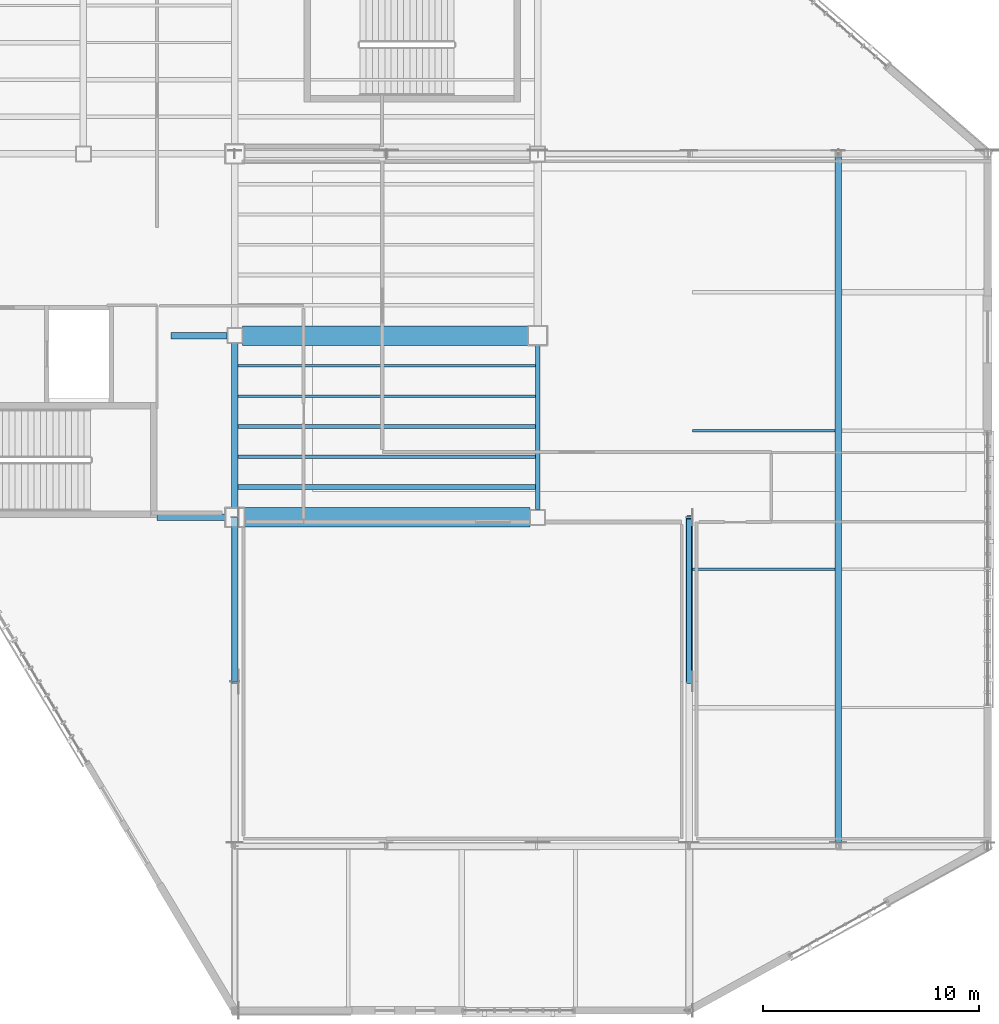
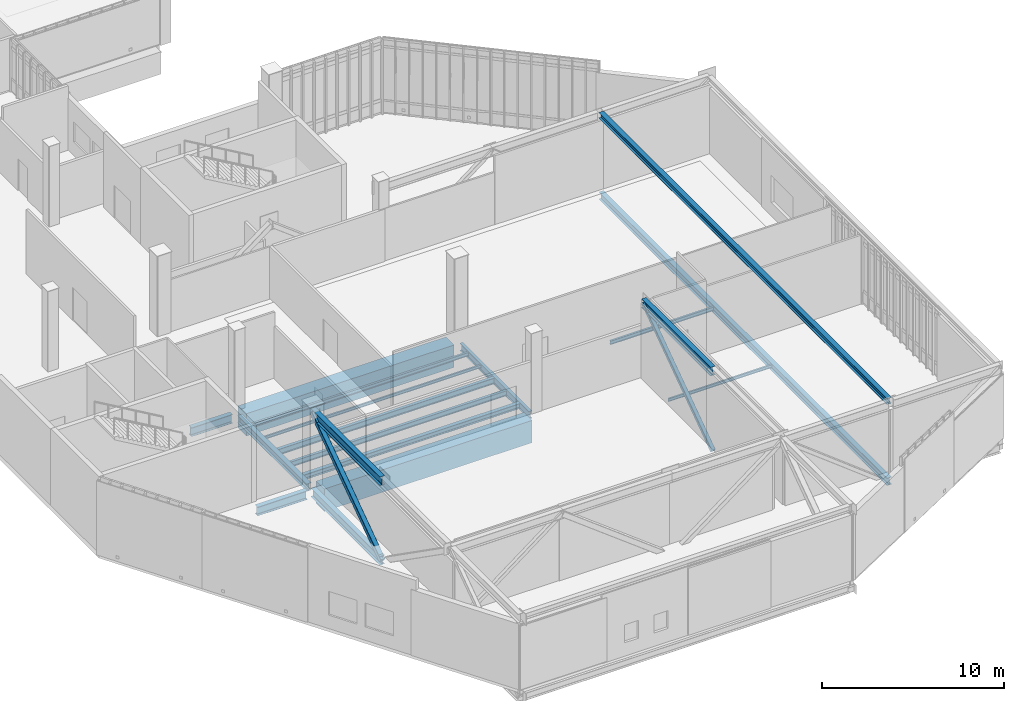
# One storey, part 35 of 135: 18 beams, 2 members.
"""IFC4 building model written with IfcOpenShell, lengths in metres."""

from ifc_helpers import new_model, si_unit, direction, frame, origin, origin_2d, place, context, subcontext, project, spatial, rectangle, hollow_rectangle, i_section, extrude, material, material_profile, profile_set, type_object, element, save


model = new_model("IFC4")

# Units and contexts
model_context = context("Model", 3, precision=1e-05, world=origin(), true_north=direction((0.0, 1.0)))
body_context = subcontext(model_context, "Body", "Model", "MODEL_VIEW")
ifc_project = project(units=[si_unit("LENGTHUNIT", "METRE"), si_unit("AREAUNIT", "SQUARE_METRE"), si_unit("VOLUMEUNIT", "CUBIC_METRE"), si_unit("PLANEANGLEUNIT", "RADIAN"), si_unit("MASSUNIT", "GRAM", prefix="KILO")], contexts=[model_context])

# Site, building, storey
site_placement = place(None, origin())
site = spatial("IfcSite", under=ifc_project, at=site_placement, CompositionType="ELEMENT")
building_placement = place(site_placement, origin())
building = spatial("IfcBuilding", under=site, at=building_placement, Name="Larkvane Passage Sports Hall", CompositionType="ELEMENT")
storey_placement = place(building_placement, frame((0.0, 0.0, 16.800048828125)))
storey = spatial("IfcBuildingStorey", under=building, at=storey_placement, Name="L03", CompositionType="ELEMENT", Elevation=16.800048828125)

# Beams
ifc_material_1 = material(Name="Steel S355JR", Category="steel")
ifc_material_profile_1 = material_profile(ifc_material_1, i_section(OverallWidth=0.300048828125, OverallDepth=0.389892578125, WebThickness=0.010009765625, FlangeThickness=0.01611328125, FilletRadius=0.01806640625, at=origin_2d()), Name="H-390x300x10x16")
ifc_profile_set_1 = profile_set([ifc_material_profile_1], Name="Steel S355JR")
beam_type_1 = type_object("IfcBeamType", Name="BM-STL-H390", PredefinedType="BEAM", material=ifc_profile_set_1)
beam_1_placement = place(storey_placement, frame((159.5, 7.75, 4.824951171875), z_axis=(0.0, 1.0, 0.0), x_axis=(-1.0, 0.0, 0.0)))
element("IfcBeam", 1, at=beam_1_placement, inside=storey, type_object=beam_type_1, Name="Cantilever transverse top beam CT-E3A--5", PredefinedType="BEAM", context=body_context, shape_type="SweptSolid", body=[
    extrude(i_section(OverallWidth=0.300048828125, OverallDepth=0.389892578125, WebThickness=0.010009765625, FlangeThickness=0.01611328125, FilletRadius=0.01806640625, at=origin_2d()), origin(), (0.0, 0.0, 1.0), 31.699951171875),
])
ifc_material_profile_2 = material_profile(ifc_material_1, i_section(OverallWidth=0.300048828125, OverallDepth=0.488037109375, WebThickness=0.010986328125, FlangeThickness=0.01806640625, FilletRadius=0.02197265625, at=origin_2d()), Name="H-488x300x11x18")
ifc_profile_set_2 = profile_set([ifc_material_profile_2], Name="Steel S355JR")
beam_type_2 = type_object("IfcBeamType", Name="BM-STL-H488", PredefinedType="BEAM", material=ifc_profile_set_2)
beam_2_placement = place(storey_placement, frame((131.60009765625, 23.25, -0.583984375), z_axis=(0.0, 1.0, 0.0), x_axis=(-1.0, 0.0, 0.0)))
element("IfcBeam", 2, at=beam_2_placement, inside=storey, type_object=beam_type_2, Name="Girder BM5-Y-L03-18-1044", PredefinedType="BEAM", context=body_context, shape_type="SweptSolid", body=[
    extrude(i_section(OverallWidth=0.300048828125, OverallDepth=0.488037109375, WebThickness=0.010986328125, FlangeThickness=0.01806640625, FilletRadius=0.02197265625, at=origin_2d()), origin(), (0.0, 0.0, 1.0), 7.60009765625),
])
beam_3_placement = place(storey_placement, frame((159.5, 7.75, -0.56396484375), z_axis=(0.0, 1.0, 0.0), x_axis=(-1.0, 0.0, 0.0)))
element("IfcBeam", 3, at=beam_3_placement, inside=storey, type_object=beam_type_2, Name="Cantilever transverse flr beam CT-E3A--5", PredefinedType="BEAM", context=body_context, shape_type="SweptSolid", body=[
    extrude(i_section(OverallWidth=0.300048828125, OverallDepth=0.488037109375, WebThickness=0.010986328125, FlangeThickness=0.01806640625, FilletRadius=0.02197265625, at=origin_2d()), origin(), (0.0, 0.0, 1.0), 31.699951171875),
])
ifc_material_2 = material(Name="Steel S460N", Category="steel")
ifc_material_profile_3 = material_profile(ifc_material_2, i_section(OverallWidth=0.300048828125, OverallDepth=0.587890625, WebThickness=0.011962890625, FlangeThickness=0.02001953125, FilletRadius=0.02197265625, at=origin_2d()), Name="H-588x300x12x20")
ifc_profile_set_3 = profile_set([ifc_material_profile_3], Name="Steel S460N")
beam_type_3 = type_object("IfcBeamType", Name="BM-STL-H588", PredefinedType="BEAM", material=ifc_profile_set_3)
beam_4_placement = place(storey_placement, frame((128.0, 22.800048828125, -0.614013671875), z_axis=(1.0, 0.0, 0.0), x_axis=(0.0, 1.0, 0.0)))
element("IfcBeam", 4, at=beam_4_placement, inside=storey, type_object=beam_type_3, Name="East court cantilever anchor girder L03-D", PredefinedType="BEAM", context=body_context, shape_type="SweptSolid", body=[
    extrude(i_section(OverallWidth=0.300048828125, OverallDepth=0.587890625, WebThickness=0.011962890625, FlangeThickness=0.02001953125, FilletRadius=0.02197265625, at=origin_2d()), origin(), (0.0, 0.0, 1.0), 3.14990234375),
])
beam_5_placement = place(storey_placement, frame((128.64990234375, 31.199951171875, -0.614013671875), z_axis=(1.0, 0.0, 0.0), x_axis=(0.0, 1.0, 0.0)))
element("IfcBeam", 5, at=beam_5_placement, inside=storey, type_object=beam_type_3, Name="East court cantilever anchor girder L03-E", PredefinedType="BEAM", context=body_context, shape_type="SweptSolid", body=[
    extrude(i_section(OverallWidth=0.300048828125, OverallDepth=0.587890625, WebThickness=0.011962890625, FlangeThickness=0.02001953125, FilletRadius=0.02197265625, at=origin_2d()), origin(), (0.0, 0.0, 1.0), 2.60009765625),
])
for number, where, z_axis, x_axis, name in (
    (6, (131.60009765625, 15.199951171875, -0.614013671875), (0.0, 1.0, 0.0), (-1.0, 0.0, 0.0), "Cantilever truss CT-S3A-1 bottom chord 3"),
    (7, (131.60009765625, 15.199951171875, 4.725830078125), (0.0, 1.0, 0.0), (-1.0, 0.0, 0.0), "Cantilever truss CT-S3A-1 top chord 3"),
    (8, (152.60009765625, 15.199951171875, 4.725830078125), (0.0, 1.0, 0.0), (-1.0, 0.0, 0.0), "Cantilever truss CT-S3A-2 top chord 3"),
):
    element("IfcBeam", number, at=place(storey_placement, frame(where, z_axis=z_axis, x_axis=x_axis)), inside=storey, type_object=beam_type_3, Name=name, PredefinedType="BEAM", context=body_context, shape_type="SweptSolid", body=[
        extrude(i_section(OverallWidth=0.300048828125, OverallDepth=0.587890625, WebThickness=0.011962890625, FlangeThickness=0.02001953125, FilletRadius=0.02197265625, at=origin_2d()), origin(), (0.0, 0.0, 1.0), 7.60009765625),
    ])
ifc_material_profile_4 = material_profile(ifc_material_1, i_section(OverallWidth=0.10009765625, OverallDepth=0.199951171875, WebThickness=0.005615234375, FlangeThickness=0.008056640625, FilletRadius=0.008056640625, at=origin_2d()), Name="H-200x100x5.5x8")
ifc_profile_set_4 = profile_set([ifc_material_profile_4], Name="Steel S355JR")
beam_type_4 = type_object("IfcBeamType", Name="JST-STL-H200", PredefinedType="JOIST", material=ifc_profile_set_4)
beam_6_placement = place(storey_placement, frame((131.75, 28.39990234375, -0.43994140625), z_axis=(1.0, 0.0, 0.0), x_axis=(0.0, 1.0, 0.0)))
element("IfcBeam", 9, at=beam_6_placement, inside=storey, type_object=beam_type_4, Name="Composite joist L03 18/D-4", PredefinedType="JOIST", context=body_context, shape_type="SweptSolid", body=[
    extrude(i_section(OverallWidth=0.10009765625, OverallDepth=0.199951171875, WebThickness=0.005615234375, FlangeThickness=0.008056640625, FilletRadius=0.008056640625, at=origin_2d()), origin(), (0.0, 0.0, 1.0), 13.75),
])
beam_7_placement = place(storey_placement, frame((152.760009765625, 20.39990234375, -0.420166015625), z_axis=(1.0, 0.0, 0.0), x_axis=(0.0, 1.0, 0.0)))
element("IfcBeam", 10, at=beam_7_placement, inside=storey, type_object=beam_type_4, Name="Cantilever floor joist CT-E3A--4-2", PredefinedType="JOIST", context=body_context, shape_type="SweptSolid", body=[
    extrude(i_section(OverallWidth=0.10009765625, OverallDepth=0.199951171875, WebThickness=0.005615234375, FlangeThickness=0.008056640625, FilletRadius=0.008056640625, at=origin_2d()), origin(), (0.0, 0.0, 1.0), 6.580078125),
])
ifc_material_profile_5 = material_profile(ifc_material_1, i_section(OverallWidth=0.125, OverallDepth=0.25, WebThickness=0.006103515625, FlangeThickness=0.009033203125, FilletRadius=0.008056640625, at=origin_2d()), Name="H-250x125x6x9")
ifc_profile_set_5 = profile_set([ifc_material_profile_5], Name="Steel S355JR")
beam_type_5 = type_object("IfcBeamType", Name="JST-STL-H250", PredefinedType="JOIST", material=ifc_profile_set_5)
beam_8_placement = place(storey_placement, frame((131.75, 29.800048828125, -0.465087890625), z_axis=(1.0, 0.0, 0.0), x_axis=(0.0, 1.0, 0.0)))
element("IfcBeam", 11, at=beam_8_placement, inside=storey, type_object=beam_type_5, Name="Composite joist L03 18/D-5", PredefinedType="JOIST", context=body_context, shape_type="SweptSolid", body=[
    extrude(i_section(OverallWidth=0.125, OverallDepth=0.25, WebThickness=0.006103515625, FlangeThickness=0.009033203125, FilletRadius=0.008056640625, at=origin_2d()), origin(), (0.0, 0.0, 1.0), 13.75),
])
beam_9_placement = place(storey_placement, frame((152.760009765625, 26.800048828125, -0.445068359375), z_axis=(1.0, 0.0, 0.0), x_axis=(0.0, 1.0, 0.0)))
element("IfcBeam", 12, at=beam_9_placement, inside=storey, type_object=beam_type_5, Name="Cantilever floor joist CT-E3A--4-3", PredefinedType="JOIST", context=body_context, shape_type="SweptSolid", body=[
    extrude(i_section(OverallWidth=0.125, OverallDepth=0.25, WebThickness=0.006103515625, FlangeThickness=0.009033203125, FilletRadius=0.008056640625, at=origin_2d()), origin(), (0.0, 0.0, 1.0), 6.580078125),
])
ifc_material_profile_6 = material_profile(ifc_material_1, i_section(OverallWidth=0.25, OverallDepth=0.340087890625, WebThickness=0.009033203125, FlangeThickness=0.013916015625, FilletRadius=0.012939453125, at=origin_2d()), Name="H-340x250x9x14")
ifc_profile_set_6 = profile_set([ifc_material_profile_6], Name="Steel S355JR")
beam_type_6 = type_object("IfcBeamType", Name="JST-STL-H340", PredefinedType="JOIST", material=ifc_profile_set_6)
beam_10_placement = place(storey_placement, frame((131.75, 24.199951171875, -0.510009765625), z_axis=(1.0, 0.0, 0.0), x_axis=(0.0, 1.0, 0.0)))
element("IfcBeam", 13, at=beam_10_placement, inside=storey, type_object=beam_type_6, Name="Composite joist L03 18/D-1", PredefinedType="JOIST", context=body_context, shape_type="SweptSolid", body=[
    extrude(i_section(OverallWidth=0.25, OverallDepth=0.340087890625, WebThickness=0.009033203125, FlangeThickness=0.013916015625, FilletRadius=0.012939453125, at=origin_2d()), origin(), (0.0, 0.0, 1.0), 13.75),
])
ifc_material_profile_7 = material_profile(ifc_material_1, i_section(OverallWidth=0.175048828125, OverallDepth=0.35009765625, WebThickness=0.007080078125, FlangeThickness=0.010986328125, FilletRadius=0.012939453125, at=origin_2d()), Name="H-350x175x7x11")
ifc_profile_set_7 = profile_set([ifc_material_profile_7], Name="Steel S355JR")
beam_type_7 = type_object("IfcBeamType", Name="JST-STL-H350", PredefinedType="JOIST", material=ifc_profile_set_7)
beam_11_placement = place(storey_placement, frame((131.75, 25.60009765625, -0.51513671875), z_axis=(1.0, 0.0, 0.0), x_axis=(0.0, 1.0, 0.0)))
element("IfcBeam", 14, at=beam_11_placement, inside=storey, type_object=beam_type_7, Name="Composite joist L03 18/D-2", PredefinedType="JOIST", context=body_context, shape_type="SweptSolid", body=[
    extrude(i_section(OverallWidth=0.175048828125, OverallDepth=0.35009765625, WebThickness=0.007080078125, FlangeThickness=0.010986328125, FilletRadius=0.012939453125, at=origin_2d()), origin(), (0.0, 0.0, 1.0), 13.75),
])
ifc_material_profile_8 = material_profile(ifc_material_1, i_section(OverallWidth=0.199951171875, OverallDepth=0.39990234375, WebThickness=0.008056640625, FlangeThickness=0.012939453125, FilletRadius=0.012939453125, at=origin_2d()), Name="H-400x200x8x13")
ifc_profile_set_8 = profile_set([ifc_material_profile_8], Name="Steel S355JR")
beam_type_8 = type_object("IfcBeamType", Name="JST-STL-H400", PredefinedType="JOIST", material=ifc_profile_set_8)
beam_12_placement = place(storey_placement, frame((131.75, 27.0, -0.5400390625), z_axis=(1.0, 0.0, 0.0), x_axis=(0.0, 1.0, 0.0)))
element("IfcBeam", 15, at=beam_12_placement, inside=storey, type_object=beam_type_8, Name="Composite joist L03 18/D-3", PredefinedType="JOIST", context=body_context, shape_type="SweptSolid", body=[
    extrude(i_section(OverallWidth=0.199951171875, OverallDepth=0.39990234375, WebThickness=0.008056640625, FlangeThickness=0.012939453125, FilletRadius=0.012939453125, at=origin_2d()), origin(), (0.0, 0.0, 1.0), 13.75),
])

# Members
ifc_material_profile_9 = material_profile(ifc_material_2, hollow_rectangle(XDim=0.25, YDim=0.25, WallThickness=0.011962890625, InnerFilletRadius=0.011962890625, OuterFilletRadius=0.02392578125, at=origin_2d()), Name="SHS-250x250x12")
ifc_profile_set_9 = profile_set([ifc_material_profile_9], Name="Steel S460N")
member_type_1 = type_object("IfcMemberType", Name="MBR-BR-SHS250", PredefinedType="BRACE", material=ifc_profile_set_9)
member_1_placement = place(storey_placement, frame((152.60009765625, 15.199951171875, -0.614013671875), z_axis=(0.0, 0.818230459533, 0.574890350495), x_axis=(-1.0, 0.0, 0.0)))
element("IfcMember", 16, at=member_1_placement, inside=storey, type_object=member_type_1, Name="Cantilever truss CT-S3A-2 web diagonal 3", PredefinedType="BRACE", context=body_context, shape_type="SweptSolid", body=[
    extrude(hollow_rectangle(XDim=0.25, YDim=0.25, WallThickness=0.011962890625, InnerFilletRadius=0.011962890625, OuterFilletRadius=0.02392578125, at=origin_2d()), origin(), (0.0, 0.0, 1.0), 9.28857421875),
])
ifc_material_profile_10 = material_profile(ifc_material_2, hollow_rectangle(XDim=0.300048828125, YDim=0.300048828125, WallThickness=0.011962890625, InnerFilletRadius=0.011962890625, OuterFilletRadius=0.02392578125, at=origin_2d()), Name="SHS-300x300x12")
ifc_profile_set_10 = profile_set([ifc_material_profile_10], Name="Steel S460N")
member_type_2 = type_object("IfcMemberType", Name="MBR-BR-SHS300", PredefinedType="BRACE", material=ifc_profile_set_10)
member_2_placement = place(storey_placement, frame((131.60009765625, 15.199951171875, -0.614013671875), z_axis=(0.0, 0.818230459533, 0.574890350495), x_axis=(-1.0, 0.0, 0.0)))
element("IfcMember", 17, at=member_2_placement, inside=storey, type_object=member_type_2, Name="Cantilever truss CT-S3A-1 web diagonal 3", PredefinedType="BRACE", context=body_context, shape_type="SweptSolid", body=[
    extrude(hollow_rectangle(XDim=0.300048828125, YDim=0.300048828125, WallThickness=0.011962890625, InnerFilletRadius=0.011962890625, OuterFilletRadius=0.02392578125, at=origin_2d()), origin(), (0.0, 0.0, 1.0), 9.28857421875),
])

# Beams
ifc_material_3 = material(Name="Concrete C50/60", Category="concrete")
ifc_material_profile_11 = material_profile(ifc_material_3, rectangle(XDim=0.89990234375, YDim=1.5, at=origin_2d()), Name="PT-GIR-900x1500")
ifc_profile_set_11 = profile_set([ifc_material_profile_11], Name="Concrete C50/60")
beam_type_9 = type_object("IfcBeamType", Name="PTG-900x1500", PredefinedType="BEAM", material=ifc_profile_set_11)
for number, where, z_axis, x_axis, name in (
    (18, (132.050048828125, 22.800048828125, -1.090087890625), (1.0, 0.0, 0.0), (0.0, 1.0, 0.0), "Post-tensioned transfer girder BM5-X-L03-D-0980"),
    (19, (131.949951171875, 31.199951171875, -1.090087890625), (1.0, 0.0, 0.0), (0.0, 1.0, 0.0), "Post-tensioned transfer girder BM5-X-L03-E-0985"),
):
    element("IfcBeam", number, at=place(storey_placement, frame(where, z_axis=z_axis, x_axis=x_axis)), inside=storey, type_object=beam_type_9, Name=name, PredefinedType="BEAM", context=body_context, shape_type="SweptSolid", body=[
        extrude(rectangle(XDim=0.89990234375, YDim=1.5, at=origin_2d()), origin(), (0.0, 0.0, 1.0), 13.199951171875),
    ])
ifc_material_profile_12 = material_profile(ifc_material_1, i_section(OverallWidth=0.199951171875, OverallDepth=0.5, WebThickness=0.010009765625, FlangeThickness=0.01611328125, FilletRadius=0.01806640625, at=origin_2d()), Name="H-500x200x10x16")
ifc_profile_set_12 = profile_set([ifc_material_profile_12], Name="Steel S355JR")
beam_type_10 = type_object("IfcBeamType", Name="SP-STL-H500", PredefinedType="SPANDREL", material=ifc_profile_set_12)
beam_13_placement = place(storey_placement, frame((145.60009765625, 23.14990234375, -0.590087890625), z_axis=(0.0, 1.0, 0.0), x_axis=(-1.0, 0.0, 0.0)))
element("IfcBeam", 20, at=beam_13_placement, inside=storey, type_object=beam_type_10, Name="Girder BM5-Y-L03-19-1048", PredefinedType="SPANDREL", context=body_context, shape_type="SweptSolid", body=[
    extrude(i_section(OverallWidth=0.199951171875, OverallDepth=0.5, WebThickness=0.010009765625, FlangeThickness=0.01611328125, FilletRadius=0.01806640625, at=origin_2d()), origin(), (0.0, 0.0, 1.0), 7.60009765625),
])

save(model, "model.ifc")
